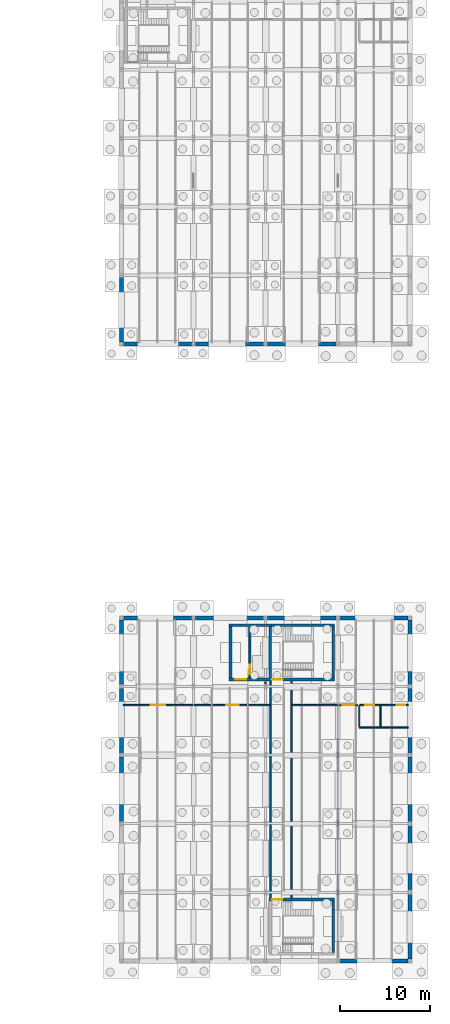
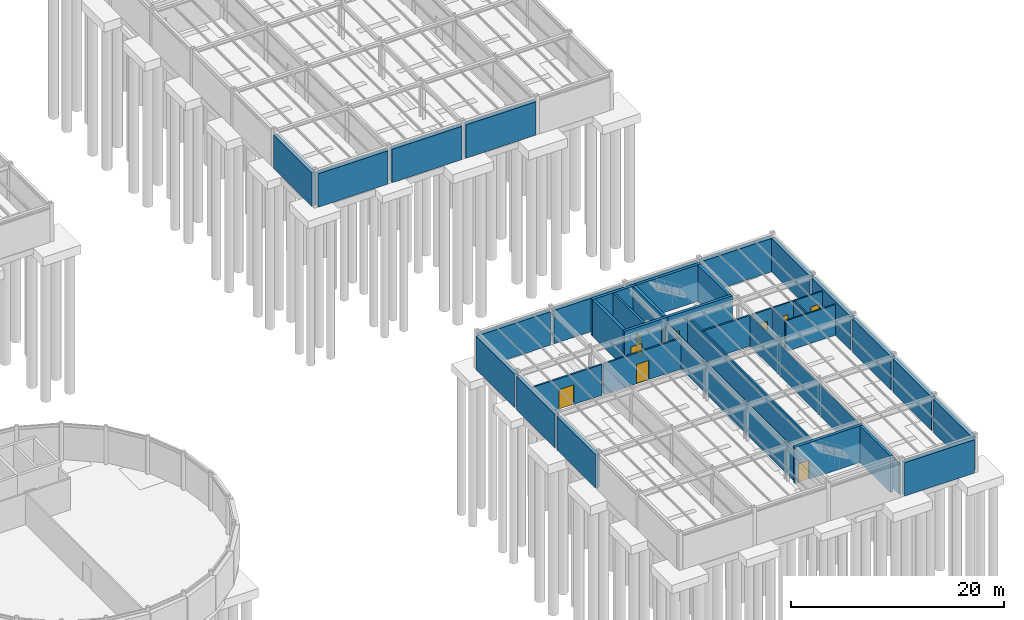
# One storey, part 28 of 33: 40 walls, 9 doors, 9 openings.
"""IFC4 building model written with IfcOpenShell, lengths in metres."""

from ifc_helpers import new_model, si_unit, direction, frame, frame_2d, origin, place, context, subcontext, project, spatial, rectangle, extrude, material, layer, layer_set, type_object, element, fill, save


model = new_model("IFC4")

# Units and contexts
model_context = context("Model", 3, precision=1e-05, world=origin(), true_north=direction((0.0, 1.0)))
body_context = subcontext(model_context, "Body", "Model", "MODEL_VIEW")
ifc_project = project(units=[si_unit("LENGTHUNIT", "METRE"), si_unit("AREAUNIT", "SQUARE_METRE"), si_unit("VOLUMEUNIT", "CUBIC_METRE"), si_unit("PLANEANGLEUNIT", "RADIAN"), si_unit("MASSUNIT", "GRAM", prefix="KILO")], contexts=[model_context])

# Site, building, storey
site_placement = place(None, origin())
site = spatial("IfcSite", under=ifc_project, at=site_placement, CompositionType="ELEMENT")
building_placement = place(site_placement, origin())
building = spatial("IfcBuilding", under=site, at=building_placement, Name="Montecoro Central Library", CompositionType="ELEMENT")
storey_placement = place(building_placement, frame((0.0, 0.0, -4.419921875)))
storey = spatial("IfcBuildingStorey", under=building, at=storey_placement, Name="B1", CompositionType="ELEMENT", Elevation=-4.419921875)

# Walls
ifc_material_1 = material(Name="Concrete C35/45", Category="concrete")
ifc_layer_1 = layer(ifc_material_1, 0.455078125)
ifc_layer_set_1 = layer_set([ifc_layer_1], Name="Concrete C35/45")
wall_type_1 = type_object("IfcWallType", Name="EW-RET-455", PredefinedType="USERDEFINED", material=ifc_layer_set_1)
for number, where, z_axis, x_axis, name in (
    (1, (141.202880859375, 73.39990234375, 0.0), (0.0, 0.0, 1.0), (1.0, 0.0, 0.0), "V5-B1-RW-S-18"),
    (2, (149.202880859375, 73.39990234375, 0.0), (0.0, 0.0, 1.0), (1.0, 0.0, 0.0), "V5-B1-RW-S-19"),
    (3, (157.202880859375, 73.39990234375, 0.0), (0.0, 0.0, 1.0), (1.0, 0.0, 0.0), "V5-B1-RW-S-20"),
):
    element("IfcWall", number, at=place(storey_placement, frame(where, z_axis=z_axis, x_axis=x_axis)), inside=storey, type_object=wall_type_1, Name=name, ObjectType="RETAININGWALL", PredefinedType="USERDEFINED", context=body_context, shape_type="SweptSolid", body=[
        extrude(rectangle(XDim=7.59423828125, YDim=0.455078125, at=frame_2d((3.797119140625, 0.0))), origin(), (0.0, 0.0, 1.0), 3.81982421875),
    ])
wall_1_placement = place(storey_placement, frame((141.0, 73.60302734375, 0.0), z_axis=(0.0, 0.0, 1.0), x_axis=(0.0, 1.0, 0.0)))
element("IfcWall", 4, at=wall_1_placement, inside=storey, type_object=wall_type_1, Name="V5-B1-RW-W-K", ObjectType="RETAININGWALL", PredefinedType="USERDEFINED", context=body_context, shape_type="SweptSolid", body=[
    extrude(rectangle(XDim=7.194091796875, YDim=0.455078125, at=frame_2d((3.59716796875, 0.0))), origin(), (0.0, 0.0, 1.0), 3.81982421875),
])
for number, where, z_axis, x_axis, name in (
    (5, (141.202880859375, 43.0, 0.0), (0.0, 0.0, 1.0), (1.0, 0.0, 0.0), "V6-B1-RW-N-18"),
    (6, (149.202880859375, 43.0, 0.0), (0.0, 0.0, 1.0), (1.0, 0.0, 0.0), "V6-B1-RW-N-19"),
    (7, (157.202880859375, 43.0, 0.0), (0.0, 0.0, 1.0), (1.0, 0.0, 0.0), "V6-B1-RW-N-20"),
    (8, (165.202880859375, 5.0, 0.0), (0.0, 0.0, 1.0), (1.0, 0.0, 0.0), "V6-B1-RW-S-21"),
    (9, (165.202880859375, 43.0, 0.0), (0.0, 0.0, 1.0), (1.0, 0.0, 0.0), "V6-B1-RW-N-21"),
):
    element("IfcWall", number, at=place(storey_placement, frame(where, z_axis=z_axis, x_axis=x_axis)), inside=storey, type_object=wall_type_1, Name=name, ObjectType="RETAININGWALL", PredefinedType="USERDEFINED", context=body_context, shape_type="SweptSolid", body=[
        extrude(rectangle(XDim=7.59423828125, YDim=0.455078125, at=frame_2d((3.797119140625, 0.0))), origin(), (0.0, 0.0, 1.0), 3.81982421875),
    ])
for number, where, z_axis, x_axis, name in (
    (10, (173.0, 5.202880859375, 0.0), (0.0, 0.0, 1.0), (0.0, 1.0, 0.0), "V6-B1-RW-E-A"),
    (11, (173.0, 12.802978515625, 0.0), (0.0, 0.0, 1.0), (0.0, 1.0, 0.0), "V6-B1-RW-E-B"),
):
    element("IfcWall", number, at=place(storey_placement, frame(where, z_axis=z_axis, x_axis=x_axis)), inside=storey, type_object=wall_type_1, Name=name, ObjectType="RETAININGWALL", PredefinedType="USERDEFINED", context=body_context, shape_type="SweptSolid", body=[
        extrude(rectangle(XDim=7.194091796875, YDim=0.455078125, at=frame_2d((3.59716796875, 0.0))), origin(), (0.0, 0.0, 1.0), 3.81982421875),
    ])
for number, where, z_axis, x_axis, name in (
    (12, (141.0, 20.403076171875, 0.0), (0.0, 0.0, 1.0), (0.0, 1.0, 0.0), "V6-B1-RW-W-C"),
    (13, (173.0, 20.403076171875, 0.0), (0.0, 0.0, 1.0), (0.0, 1.0, 0.0), "V6-B1-RW-E-C"),
):
    element("IfcWall", number, at=place(storey_placement, frame(where, z_axis=z_axis, x_axis=x_axis)), inside=storey, type_object=wall_type_1, Name=name, ObjectType="RETAININGWALL", PredefinedType="USERDEFINED", context=body_context, shape_type="SweptSolid", body=[
        extrude(rectangle(XDim=7.19384765625, YDim=0.455078125, at=frame_2d((3.596923828125, 0.0))), origin(), (0.0, 0.0, 1.0), 3.81982421875),
    ])
for number, where, z_axis, x_axis, name in (
    (14, (141.0, 28.0029296875, 0.0), (0.0, 0.0, 1.0), (0.0, 1.0, 0.0), "V6-B1-RW-W-D"),
    (15, (173.0, 28.0029296875, 0.0), (0.0, 0.0, 1.0), (0.0, 1.0, 0.0), "V6-B1-RW-E-D"),
    (16, (141.0, 35.60302734375, 0.0), (0.0, 0.0, 1.0), (0.0, 1.0, 0.0), "V6-B1-RW-W-E"),
    (17, (173.0, 35.60302734375, 0.0), (0.0, 0.0, 1.0), (0.0, 1.0, 0.0), "V6-B1-RW-E-E"),
):
    element("IfcWall", number, at=place(storey_placement, frame(where, z_axis=z_axis, x_axis=x_axis)), inside=storey, type_object=wall_type_1, Name=name, ObjectType="RETAININGWALL", PredefinedType="USERDEFINED", context=body_context, shape_type="SweptSolid", body=[
        extrude(rectangle(XDim=7.194091796875, YDim=0.455078125, at=frame_2d((3.59716796875, 0.0))), origin(), (0.0, 0.0, 1.0), 3.81982421875),
    ])

# Wall, opening, door
ifc_material_2 = material(Name="Gypsum fire-rated partition")
ifc_layer_2 = layer(ifc_material_2, 0.179931640625)
ifc_layer_set_2 = layer_set([ifc_layer_2], Name="Gypsum fire-rated partition")
wall_type_2 = type_object("IfcWallType", Name="IW-COR-180", PredefinedType="PARTITIONING", material=ifc_layer_set_2)
wall_2_placement = place(storey_placement, frame((141.199951171875, 33.35009765625, 0.0), z_axis=(0.0, 0.0, 1.0), x_axis=(1.0, 0.0, 0.0)))
wall_2 = element("IfcWall", 18, at=wall_2_placement, inside=storey, type_object=wall_type_2, Name="CORW-V6-B1-01", PredefinedType="PARTITIONING", context=body_context, shape_type="SweptSolid", body=[
    extrude(rectangle(XDim=7.7099609375, YDim=0.179931640625, at=frame_2d((3.85498046875, 0.0))), origin(), (0.0, 0.0, 1.0), 3.52001953125),
])
opening_1_placement = place(wall_2_placement, frame((3.054931640625, 0.0, 0.0)))
opening_1 = element("IfcOpeningElement", 19, at=opening_1_placement, cuts=wall_2, Name="Opening ID-06", PredefinedType="OPENING", context=body_context, shape_type="SweptSolid", body=[
    extrude(rectangle(XDim=1.60009765625, YDim=2.25, at=frame_2d((0.800048828125, 1.125))), frame((0.0, 0.099853515625, 0.0), z_axis=(0.0, -1.0, 0.0), x_axis=(1.0, 0.0, 0.0)), (0.0, 0.0, 1.0), 0.199951171875),
])
ifc_material_3 = material(Name="Solid oak and fire-rated steel door", Category="steel")
door_type_1 = type_object("IfcDoorType", Name="ID-COR-160", OperationType="NOTDEFINED", PredefinedType="DOOR", material=ifc_material_3)
door_1_placement = place(opening_1_placement, origin())
door_1 = element("IfcDoor", 20, at=door_1_placement, inside=storey, type_object=door_type_1, Name="DR-SP-V6-B1-R1P1", OperationType="DOUBLE_DOOR_SINGLE_SWING", OverallHeight=2.25, OverallWidth=1.60009765625, PredefinedType="DOOR", context=body_context, shape_type="SweptSolid", body=[
    extrude(rectangle(XDim=1.60009765625, YDim=2.25, at=frame_2d((0.800048828125, 1.125))), frame((0.0, 0.02490234375, 0.0), z_axis=(0.0, -1.0, 0.0), x_axis=(1.0, 0.0, 0.0)), (0.0, 0.0, 1.0), 0.050048828125),
])
fill(opening_1, door_1)

wall_3_placement = place(storey_placement, frame((149.090087890625, 33.35009765625, 0.0), z_axis=(0.0, 0.0, 1.0), x_axis=(1.0, 0.0, 0.0)))
wall_3 = element("IfcWall", 21, at=wall_3_placement, inside=storey, type_object=wall_type_2, Name="CORW-V6-B1-02", PredefinedType="PARTITIONING", context=body_context, shape_type="SweptSolid", body=[
    extrude(rectangle(XDim=8.4599609375, YDim=0.179931640625, at=frame_2d((4.22998046875, 0.0))), origin(), (0.0, 0.0, 1.0), 3.52001953125),
])
opening_2_placement = place(wall_3_placement, frame((3.550048828125, 0.0, 0.0)))
opening_2 = element("IfcOpeningElement", 22, at=opening_2_placement, cuts=wall_3, Name="Opening ID-05", PredefinedType="OPENING", context=body_context, shape_type="SweptSolid", body=[
    extrude(rectangle(XDim=1.360107421875, YDim=2.199951171875, at=frame_2d((0.68017578125, 1.10009765625))), frame((0.0, 0.099853515625, 0.0), z_axis=(0.0, -1.0, 0.0), x_axis=(1.0, 0.0, 0.0)), (0.0, 0.0, 1.0), 0.199951171875),
])
door_type_2 = type_object("IfcDoorType", Name="ID-VLT-136", OperationType="NOTDEFINED", PredefinedType="DOOR", material=ifc_material_3)
door_2_placement = place(opening_2_placement, origin())
door_2 = element("IfcDoor", 23, at=door_2_placement, inside=storey, type_object=door_type_2, Name="DR-SP-V6-B1-R2P1", OperationType="SINGLE_SWING_RIGHT", OverallHeight=2.199951171875, OverallWidth=1.360107421875, PredefinedType="DOOR", context=body_context, shape_type="SweptSolid", body=[
    extrude(rectangle(XDim=1.360107421875, YDim=2.199951171875, at=frame_2d((0.68017578125, 1.10009765625))), frame((0.0, 0.02490234375, 0.0), z_axis=(0.0, -1.0, 0.0), x_axis=(1.0, 0.0, 0.0)), (0.0, 0.0, 1.0), 0.050048828125),
])
fill(opening_2, door_2)

# Wall
wall_4_placement = place(storey_placement, frame((159.85009765625, 33.35009765625, 0.0), z_axis=(0.0, 0.0, 1.0), x_axis=(1.0, 0.0, 0.0)))
element("IfcWall", 24, at=wall_4_placement, inside=storey, type_object=wall_type_2, Name="CORW-V6-B1-03", PredefinedType="PARTITIONING", context=body_context, shape_type="SweptSolid", body=[
    extrude(rectangle(XDim=5.059814453125, YDim=0.179931640625, at=frame_2d((2.52978515625, 0.0))), origin(), (0.0, 0.0, 1.0), 3.52001953125),
])

# Wall, opening, door
wall_5_placement = place(storey_placement, frame((165.090087890625, 33.35009765625, 0.0), z_axis=(0.0, 0.0, 1.0), x_axis=(1.0, 0.0, 0.0)))
wall_5 = element("IfcWall", 25, at=wall_5_placement, inside=storey, type_object=wall_type_2, Name="CORW-V6-B1-04", PredefinedType="PARTITIONING", context=body_context, shape_type="SweptSolid", body=[
    extrude(rectangle(XDim=2.169921875, YDim=0.179931640625, at=frame_2d((1.0849609375, 0.0))), origin(), (0.0, 0.0, 1.0), 3.52001953125),
])
opening_3_placement = place(wall_5_placement, frame((0.455078125, 0.0, 0.0)))
opening_3 = element("IfcOpeningElement", 26, at=opening_3_placement, cuts=wall_5, Name="Opening ID-09", PredefinedType="OPENING", context=body_context, shape_type="SweptSolid", body=[
    extrude(rectangle(XDim=1.260009765625, YDim=2.199951171875, at=frame_2d((0.6298828125, 1.10009765625))), frame((0.0, 0.099853515625, 0.0), z_axis=(0.0, -1.0, 0.0), x_axis=(1.0, 0.0, 0.0)), (0.0, 0.0, 1.0), 0.199951171875),
])
door_type_3 = type_object("IfcDoorType", Name="ID-RDG-126", OperationType="NOTDEFINED", PredefinedType="DOOR", material=ifc_material_3)
door_3_placement = place(opening_3_placement, origin())
door_3 = element("IfcDoor", 27, at=door_3_placement, inside=storey, type_object=door_type_3, Name="DR-SP-V6-B1-R3P1", OperationType="SINGLE_SWING_LEFT", OverallHeight=2.199951171875, OverallWidth=1.260009765625, PredefinedType="DOOR", context=body_context, shape_type="SweptSolid", body=[
    extrude(rectangle(XDim=1.260009765625, YDim=2.199951171875, at=frame_2d((0.6298828125, 1.10009765625))), frame((0.0, 0.02490234375, 0.0), z_axis=(0.0, -1.0, 0.0), x_axis=(1.0, 0.0, 0.0)), (0.0, 0.0, 1.0), 0.050048828125),
])
fill(opening_3, door_3)

# Walls
wall_6_placement = place(storey_placement, frame((157.0, 35.639892578125, 0.0), z_axis=(0.0, 0.0, 1.0), x_axis=(0.0, 1.0, 0.0)))
element("IfcWall", 28, at=wall_6_placement, inside=storey, type_object=wall_type_2, Name="PIL-V6-B1-1", PredefinedType="PARTITIONING", context=body_context, shape_type="SweptSolid", body=[
    extrude(rectangle(XDim=0.320068359375, YDim=0.179931640625, at=frame_2d((0.16015625, 0.0))), origin(), (0.0, 0.0, 1.0), 3.52001953125),
])
for number, where, z_axis, x_axis, name in (
    (29, (157.550048828125, 11.9599609375, 0.0), (0.0, 0.0, 1.0), (0.0, 1.0, 0.0), "SPRW-V6-B1-1W1"),
    (30, (159.85009765625, 11.9599609375, 0.0), (0.0, 0.0, 1.0), (0.0, 1.0, 0.0), "SPRW-V6-B1-1E1"),
):
    element("IfcWall", number, at=place(storey_placement, frame(where, z_axis=z_axis, x_axis=x_axis)), inside=storey, type_object=wall_type_2, Name=name, PredefinedType="PARTITIONING", context=body_context, shape_type="SweptSolid", body=[
        extrude(rectangle(XDim=24.080078125, YDim=0.179931640625, at=frame_2d((12.0400390625, 0.0))), origin(), (0.0, 0.0, 1.0), 3.52001953125),
    ])

# Wall, opening, door
ifc_material_4 = material(Name="Concrete C32/40", Category="concrete")
ifc_layer_3 = layer(ifc_material_4, 0.219970703125)
ifc_layer_set_3 = layer_set([ifc_layer_3], Name="Concrete C32/40")
wall_type_3 = type_object("IfcWallType", Name="IW-FFL-220", PredefinedType="SOLIDWALL", material=ifc_layer_set_3)
wall_7_placement = place(storey_placement, frame((155.25, 36.39990234375, 0.0), z_axis=(0.0, 0.0, 1.0), x_axis=(0.0, 1.0, 0.0)))
wall_7 = element("IfcWall", 31, at=wall_7_placement, inside=storey, type_object=wall_type_3, Name="C7-B1-WLSH", PredefinedType="SOLIDWALL", context=body_context, shape_type="SweptSolid", body=[
    extrude(rectangle(XDim=5.60009765625, YDim=0.219970703125, at=frame_2d((2.800048828125, 0.0))), origin(), (0.0, 0.0, 1.0), 4.184814453125),
])
opening_4_placement = place(wall_7_placement, frame((0.35009765625, 0.0, 0.0)))
opening_4 = element("IfcOpeningElement", 32, at=opening_4_placement, cuts=wall_7, Name="Opening LD-01", PredefinedType="OPENING", context=body_context, shape_type="SweptSolid", body=[
    extrude(rectangle(XDim=1.10009765625, YDim=2.14990234375, at=frame_2d((0.550048828125, 1.074951171875))), frame((0.0, 0.119873046875, 0.0), z_axis=(0.0, -1.0, 0.0), x_axis=(1.0, 0.0, 0.0)), (0.0, 0.0, 1.0), 0.239990234375),
])
door_type_4 = type_object("IfcDoorType", Name="LD-LIFT-110", OperationType="NOTDEFINED", PredefinedType="DOOR", material=ifc_material_3)
door_4_placement = place(opening_4_placement, origin())
door_4 = element("IfcDoor", 33, at=door_4_placement, inside=storey, type_object=door_type_4, Name="C7-B1-LD-PL-06", OperationType="SLIDING_TO_LEFT", OverallHeight=2.14990234375, OverallWidth=1.10009765625, PredefinedType="DOOR", context=body_context, shape_type="SweptSolid", body=[
    extrude(rectangle(XDim=1.10009765625, YDim=2.14990234375, at=frame_2d((0.550048828125, 1.074951171875))), frame((0.0, 0.02490234375, 0.0), z_axis=(0.0, -1.0, 0.0), x_axis=(1.0, 0.0, 0.0)), (0.0, 0.0, 1.0), 0.050048828125),
])
fill(opening_4, door_4)

# Wall
ifc_material_5 = material(Name="Gypsum metal-stud partition")
ifc_layer_4 = layer(ifc_material_5, 0.1201171875)
ifc_layer_set_4 = layer_set([ifc_layer_4], Name="Gypsum metal-stud partition")
wall_type_4 = type_object("IfcWallType", Name="IW-PRT-120", PredefinedType="PARTITIONING", material=ifc_layer_set_4)
wall_8_placement = place(storey_placement, frame((165.0, 5.320068359375, 0.0), z_axis=(0.0, 0.0, 1.0), x_axis=(0.0, 1.0, 0.0)))
element("IfcWall", 34, at=wall_8_placement, inside=storey, type_object=wall_type_4, Name="DIVW-V6-B1-02-1", PredefinedType="PARTITIONING", context=body_context, shape_type="SweptSolid", body=[
    extrude(rectangle(XDim=27.93994140625, YDim=0.1201171875, at=frame_2d((13.969970703125, 0.0))), origin(), (0.0, 0.0, 1.0), 3.52001953125),
])

# Wall, opening, door
ifc_layer_5 = layer(ifc_material_1, 0.300048828125)
ifc_layer_set_5 = layer_set([ifc_layer_5], Name="Concrete C35/45")
wall_type_5 = type_object("IfcWallType", Name="IW-SHR-300", PredefinedType="SHEAR", material=ifc_layer_set_5)
wall_9_placement = place(storey_placement, frame((152.949951171875, 36.199951171875, 0.0), z_axis=(0.0, 0.0, 1.0), x_axis=(1.0, 0.0, 0.0)))
wall_9 = element("IfcWall", 35, at=wall_9_placement, inside=storey, type_object=wall_type_5, Name="C7-B1-LWS", PredefinedType="SHEAR", context=body_context, shape_type="SweptSolid", body=[
    extrude(rectangle(XDim=4.699951171875, YDim=0.300048828125, at=frame_2d((2.35009765625, 0.0))), origin(), (0.0, 0.0, 1.0), 4.184814453125),
])
opening_5_placement = place(wall_9_placement, frame((0.699951171875, 0.0, 0.0)))
opening_5 = element("IfcOpeningElement", 36, at=opening_5_placement, cuts=wall_9, Name="Opening ID-03", PredefinedType="OPENING", context=body_context, shape_type="SweptSolid", body=[
    extrude(rectangle(XDim=1.199951171875, YDim=2.159912109375, at=frame_2d((0.60009765625, 1.080078125))), frame((0.0, 0.159912109375, 0.0), z_axis=(0.0, -1.0, 0.0), x_axis=(1.0, 0.0, 0.0)), (0.0, 0.0, 1.0), 0.320068359375),
])
door_type_5 = type_object("IfcDoorType", Name="ID-FFL-120", OperationType="NOTDEFINED", PredefinedType="DOOR", material=ifc_material_3)
door_5_placement = place(opening_5_placement, origin())
door_5 = element("IfcDoor", 37, at=door_5_placement, inside=storey, type_object=door_type_5, Name="C7-B1-DLOB", OperationType="SINGLE_SWING_LEFT", OverallHeight=2.159912109375, OverallWidth=1.199951171875, PredefinedType="DOOR", context=body_context, shape_type="SweptSolid", body=[
    extrude(rectangle(XDim=1.199951171875, YDim=2.159912109375, at=frame_2d((0.60009765625, 1.080078125))), frame((0.0, 0.02490234375, 0.0), z_axis=(0.0, -1.0, 0.0), x_axis=(1.0, 0.0, 0.0)), (0.0, 0.0, 1.0), 0.050048828125),
])
fill(opening_5, door_5)

# Walls
wall_10_placement = place(storey_placement, frame((157.64990234375, 42.199951171875, 0.0), z_axis=(0.0, 0.0, 1.0), x_axis=(-1.0, 0.0, 0.0)))
element("IfcWall", 38, at=wall_10_placement, inside=storey, type_object=wall_type_5, Name="C7-B1-LWN", PredefinedType="SHEAR", context=body_context, shape_type="SweptSolid", body=[
    extrude(rectangle(XDim=4.699951171875, YDim=0.300048828125, at=frame_2d((2.35009765625, 0.0))), origin(), (0.0, 0.0, 1.0), 4.184814453125),
])
wall_11_placement = place(storey_placement, frame((153.10009765625, 42.050048828125, 0.0), z_axis=(0.0, 0.0, 1.0), x_axis=(0.0, -1.0, 0.0)))
element("IfcWall", 39, at=wall_11_placement, inside=storey, type_object=wall_type_5, Name="C7-B1-LWW", PredefinedType="SHEAR", context=body_context, shape_type="SweptSolid", body=[
    extrude(rectangle(XDim=5.699951171875, YDim=0.300048828125, at=frame_2d((2.85009765625, 0.0))), origin(), (0.0, 0.0, 1.0), 4.184814453125),
])

# Wall, opening, door
wall_12_placement = place(storey_placement, frame((157.35009765625, 36.199951171875, 0.0), z_axis=(0.0, 0.0, 1.0), x_axis=(1.0, 0.0, 0.0)))
wall_12 = element("IfcWall", 40, at=wall_12_placement, inside=storey, type_object=wall_type_5, Name="C7-B1-WS", PredefinedType="SHEAR", context=body_context, shape_type="SweptSolid", body=[
    extrude(rectangle(XDim=7.2998046875, YDim=0.300048828125, at=frame_2d((3.64990234375, 0.0))), origin(), (0.0, 0.0, 1.0), 4.184814453125),
])
opening_6_placement = place(wall_12_placement, frame((0.330078125, 0.0, 0.0)))
opening_6 = element("IfcOpeningElement", 41, at=opening_6_placement, cuts=wall_12, Name="Opening ID-01", PredefinedType="OPENING", context=body_context, shape_type="SweptSolid", body=[
    extrude(rectangle(XDim=1.219970703125, YDim=2.179931640625, at=frame_2d((0.60986328125, 1.08984375))), frame((0.0, 0.159912109375, 0.0), z_axis=(0.0, -1.0, 0.0), x_axis=(1.0, 0.0, 0.0)), (0.0, 0.0, 1.0), 0.320068359375),
])
door_type_6 = type_object("IfcDoorType", Name="ID-STR-140", OperationType="NOTDEFINED", PredefinedType="DOOR", material=ifc_material_3)
door_6_placement = place(opening_6_placement, origin())
door_6 = element("IfcDoor", 42, at=door_6_placement, inside=storey, type_object=door_type_6, Name="C7-B1-DSTR", OperationType="SINGLE_SWING_RIGHT", OverallHeight=2.179931640625, OverallWidth=1.219970703125, PredefinedType="DOOR", context=body_context, shape_type="SweptSolid", body=[
    extrude(rectangle(XDim=1.219970703125, YDim=2.179931640625, at=frame_2d((0.60986328125, 1.08984375))), frame((0.0, 0.02490234375, 0.0), z_axis=(0.0, -1.0, 0.0), x_axis=(1.0, 0.0, 0.0)), (0.0, 0.0, 1.0), 0.050048828125),
])
fill(opening_6, door_6)

# Walls
wall_13_placement = place(storey_placement, frame((157.35009765625, 42.199951171875, 0.0), z_axis=(0.0, 0.0, 1.0), x_axis=(1.0, 0.0, 0.0)))
element("IfcWall", 43, at=wall_13_placement, inside=storey, type_object=wall_type_5, Name="C7-B1-WN", PredefinedType="SHEAR", context=body_context, shape_type="SweptSolid", body=[
    extrude(rectangle(XDim=7.2998046875, YDim=0.300048828125, at=frame_2d((3.64990234375, 0.0))), origin(), (0.0, 0.0, 1.0), 4.184814453125),
])
for number, where, z_axis, x_axis, name in (
    (44, (157.5, 36.35009765625, 0.0), (0.0, 0.0, 1.0), (0.0, 1.0, 0.0), "C7-B1-WW"),
    (45, (164.5, 36.35009765625, 0.0), (0.0, 0.0, 1.0), (0.0, 1.0, 0.0), "C7-B1-WE"),
):
    element("IfcWall", number, at=place(storey_placement, frame(where, z_axis=z_axis, x_axis=x_axis)), inside=storey, type_object=wall_type_5, Name=name, PredefinedType="SHEAR", context=body_context, shape_type="SweptSolid", body=[
        extrude(rectangle(XDim=5.699951171875, YDim=0.300048828125, at=frame_2d((2.85009765625, 0.0))), origin(), (0.0, 0.0, 1.0), 4.184814453125),
    ])

# Wall, opening, door
wall_14_placement = place(storey_placement, frame((157.35009765625, 11.800048828125, 0.0), z_axis=(0.0, 0.0, 1.0), x_axis=(1.0, 0.0, 0.0)))
wall_14 = element("IfcWall", 46, at=wall_14_placement, inside=storey, type_object=wall_type_5, Name="C10-B1-WN", PredefinedType="SHEAR", context=body_context, shape_type="SweptSolid", body=[
    extrude(rectangle(XDim=7.2998046875, YDim=0.300048828125, at=frame_2d((3.64990234375, 0.0))), origin(), (0.0, 0.0, 1.0), 4.184814453125),
])
opening_7_placement = place(wall_14_placement, frame((0.330078125, 0.0, 0.0)))
opening_7 = element("IfcOpeningElement", 47, at=opening_7_placement, cuts=wall_14, Name="Opening ID-02", PredefinedType="OPENING", context=body_context, shape_type="SweptSolid", body=[
    extrude(rectangle(XDim=1.179931640625, YDim=2.179931640625, at=frame_2d((0.58984375, 1.08984375))), frame((0.0, 0.159912109375, 0.0), z_axis=(0.0, -1.0, 0.0), x_axis=(1.0, 0.0, 0.0)), (0.0, 0.0, 1.0), 0.320068359375),
])
door_type_7 = type_object("IfcDoorType", Name="ID-STR-135", OperationType="NOTDEFINED", PredefinedType="DOOR", material=ifc_material_3)
door_7_placement = place(opening_7_placement, origin())
door_7 = element("IfcDoor", 48, at=door_7_placement, inside=storey, type_object=door_type_7, Name="C10-B1-DSTR", OperationType="SINGLE_SWING_RIGHT", OverallHeight=2.179931640625, OverallWidth=1.179931640625, PredefinedType="DOOR", context=body_context, shape_type="SweptSolid", body=[
    extrude(rectangle(XDim=1.179931640625, YDim=2.179931640625, at=frame_2d((0.58984375, 1.08984375))), frame((0.0, 0.02490234375, 0.0), z_axis=(0.0, -1.0, 0.0), x_axis=(1.0, 0.0, 0.0)), (0.0, 0.0, 1.0), 0.050048828125),
])
fill(opening_7, door_7)

# Walls
wall_15_placement = place(storey_placement, frame((164.5, 5.949951171875, 0.0), z_axis=(0.0, 0.0, 1.0), x_axis=(0.0, 1.0, 0.0)))
element("IfcWall", 49, at=wall_15_placement, inside=storey, type_object=wall_type_5, Name="C10-B1-WE", PredefinedType="SHEAR", context=body_context, shape_type="SweptSolid", body=[
    extrude(rectangle(XDim=5.699951171875, YDim=0.300048828125, at=frame_2d((2.85009765625, 0.0))), origin(), (0.0, 0.0, 1.0), 4.184814453125),
])
ifc_material_6 = material(Name="Moisture-resistant ceramic-tiled partition")
ifc_layer_6 = layer(ifc_material_6, 0.14990234375)
ifc_layer_set_6 = layer_set([ifc_layer_6], Name="Moisture-resistant ceramic-tiled partition")
wall_type_6 = type_object("IfcWallType", Name="IW-WET-150", PredefinedType="PARTITIONING", material=ifc_layer_set_6)
wall_16_placement = place(storey_placement, frame((167.3798828125, 30.8701171875, 0.0), z_axis=(0.0, 0.0, 1.0), x_axis=(1.0, 0.0, 0.0)))
element("IfcWall", 50, at=wall_16_placement, inside=storey, type_object=wall_type_6, Name="WC-V6-B1-WBK", PredefinedType="PARTITIONING", context=body_context, shape_type="SweptSolid", body=[
    extrude(rectangle(XDim=5.420166015625, YDim=0.14990234375, at=frame_2d((2.7099609375, 0.0))), origin(), (0.0, 0.0, 1.0), 3.52001953125),
])
for number, where, z_axis, x_axis, name in (
    (51, (167.3798828125, 30.929931640625, 0.0), (0.0, 0.0, 1.0), (0.0, 1.0, 0.0), "WC-V6-B1-WW"),
    (52, (169.72998046875, 30.929931640625, 0.0), (0.0, 0.0, 1.0), (0.0, 1.0, 0.0), "WC-V6-B1-WM"),
):
    element("IfcWall", number, at=place(storey_placement, frame(where, z_axis=z_axis, x_axis=x_axis)), inside=storey, type_object=wall_type_6, Name=name, PredefinedType="PARTITIONING", context=body_context, shape_type="SweptSolid", body=[
        extrude(rectangle(XDim=2.360107421875, YDim=0.14990234375, at=frame_2d((1.18017578125, 0.0))), origin(), (0.0, 0.0, 1.0), 3.52001953125),
    ])

# Wall, opening, door
wall_17_placement = place(storey_placement, frame((167.43994140625, 33.35009765625, 0.0), z_axis=(0.0, 0.0, 1.0), x_axis=(1.0, 0.0, 0.0)))
wall_17 = element("IfcWall", 53, at=wall_17_placement, inside=storey, type_object=wall_type_6, Name="WC-V6-B1-WFA", PredefinedType="PARTITIONING", context=body_context, shape_type="SweptSolid", body=[
    extrude(rectangle(XDim=2.25, YDim=0.14990234375, at=frame_2d((1.125, 0.0))), origin(), (0.0, 0.0, 1.0), 3.52001953125),
])
opening_8_placement = place(wall_17_placement, frame((0.625, 0.0, 0.0)))
opening_8 = element("IfcOpeningElement", 54, at=opening_8_placement, cuts=wall_17, Name="Opening ID-15", PredefinedType="OPENING", context=body_context, shape_type="SweptSolid", body=[
    extrude(rectangle(XDim=1.0, YDim=2.14990234375, at=frame_2d((0.5, 1.074951171875))), frame((0.0, 0.0849609375, 0.0), z_axis=(0.0, -1.0, 0.0), x_axis=(1.0, 0.0, 0.0)), (0.0, 0.0, 1.0), 0.169921875),
])
door_type_8 = type_object("IfcDoorType", Name="ID-AWC-100", OperationType="NOTDEFINED", PredefinedType="DOOR", material=ifc_material_3)
door_8_placement = place(opening_8_placement, origin())
door_8 = element("IfcDoor", 55, at=door_8_placement, inside=storey, type_object=door_type_8, Name="DR-SP-V6-B1-AWC", OperationType="SINGLE_SWING_RIGHT", OverallHeight=2.14990234375, OverallWidth=1.0, PredefinedType="DOOR", context=body_context, shape_type="SweptSolid", body=[
    extrude(rectangle(XDim=1.0, YDim=2.14990234375, at=frame_2d((0.5, 1.074951171875))), frame((0.0, 0.02490234375, 0.0), z_axis=(0.0, -1.0, 0.0), x_axis=(1.0, 0.0, 0.0)), (0.0, 0.0, 1.0), 0.050048828125),
])
fill(opening_8, door_8)

wall_18_placement = place(storey_placement, frame((169.77001953125, 33.35009765625, 0.0), z_axis=(0.0, 0.0, 1.0), x_axis=(1.0, 0.0, 0.0)))
wall_18 = element("IfcWall", 56, at=wall_18_placement, inside=storey, type_object=wall_type_6, Name="WC-V6-B1-WFP", PredefinedType="PARTITIONING", context=body_context, shape_type="SweptSolid", body=[
    extrude(rectangle(XDim=3.030029296875, YDim=0.14990234375, at=frame_2d((1.51513671875, 0.0))), origin(), (0.0, 0.0, 1.0), 3.52001953125),
])
opening_9_placement = place(wall_18_placement, frame((1.780029296875, 0.0, 0.0)))
opening_9 = element("IfcOpeningElement", 57, at=opening_9_placement, cuts=wall_18, Name="Opening ID-16", PredefinedType="OPENING", context=body_context, shape_type="SweptSolid", body=[
    extrude(rectangle(XDim=0.89990234375, YDim=2.14990234375, at=frame_2d((0.449951171875, 1.074951171875))), frame((0.0, 0.0849609375, 0.0), z_axis=(0.0, -1.0, 0.0), x_axis=(1.0, 0.0, 0.0)), (0.0, 0.0, 1.0), 0.169921875),
])
door_type_9 = type_object("IfcDoorType", Name="ID-WC-090", OperationType="NOTDEFINED", PredefinedType="DOOR", material=ifc_material_3)
door_9_placement = place(opening_9_placement, origin())
door_9 = element("IfcDoor", 58, at=door_9_placement, inside=storey, type_object=door_type_9, Name="DR-SP-V6-B1-PWC", OperationType="SINGLE_SWING_LEFT", OverallHeight=2.14990234375, OverallWidth=0.89990234375, PredefinedType="DOOR", context=body_context, shape_type="SweptSolid", body=[
    extrude(rectangle(XDim=0.89990234375, YDim=2.14990234375, at=frame_2d((0.449951171875, 1.074951171875))), frame((0.0, 0.02490234375, 0.0), z_axis=(0.0, -1.0, 0.0), x_axis=(1.0, 0.0, 0.0)), (0.0, 0.0, 1.0), 0.050048828125),
])
fill(opening_9, door_9)

save(model, "model.ifc")
